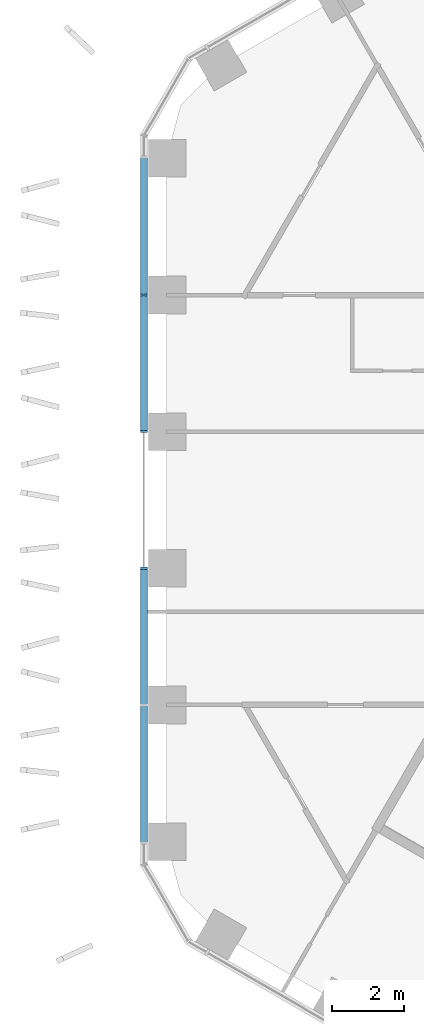
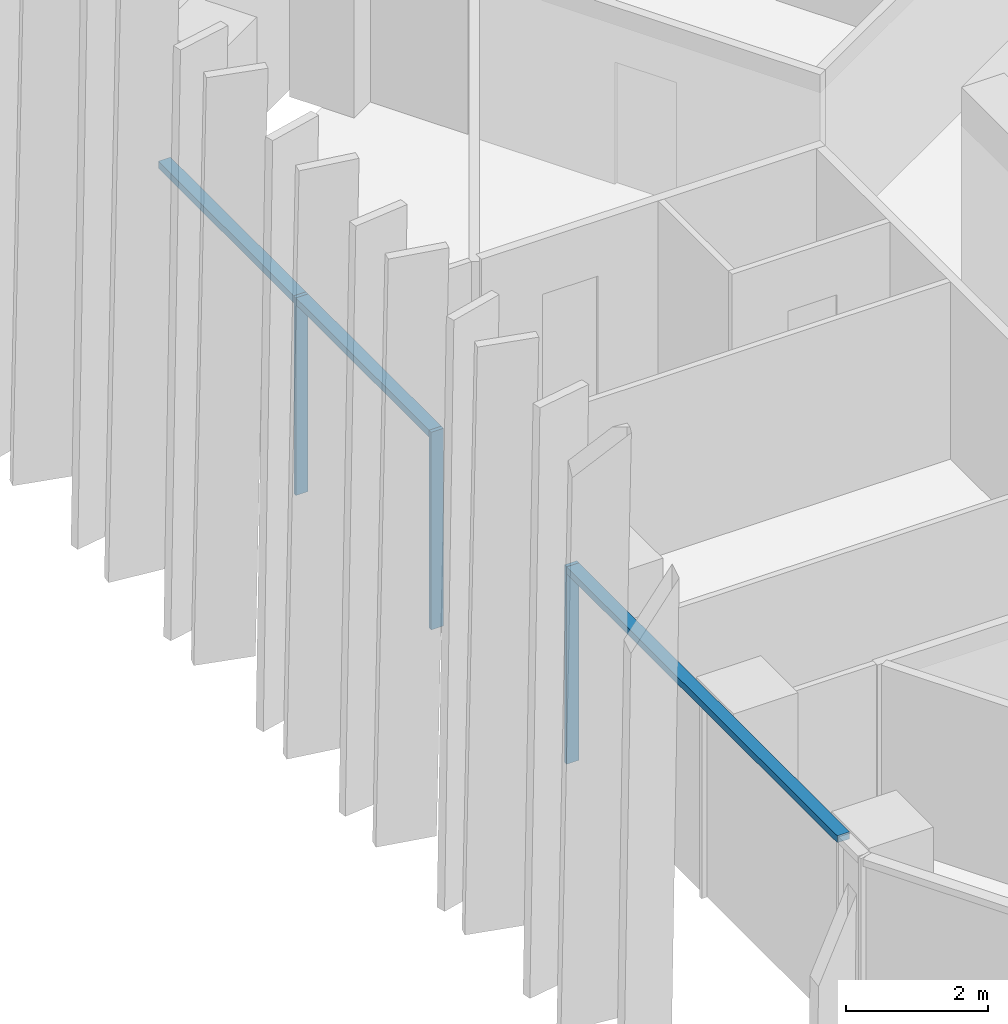
# One storey, part 3 of 18: 5 members, 1 element without a shape of its own.
"""IFC4 building model written with IfcOpenShell, lengths in metres."""

from ifc_helpers import new_model, si_unit, direction, frame, origin, origin_2d, place, context, subcontext, project, spatial, rectangle, extrude, material, layer, layer_set, material_profile, profile_set, type_object, element, aggregate, save


model = new_model("IFC4")

# Units and contexts
model_context = context("Model", 3, precision=1e-05, world=origin(), true_north=direction((0.0, 1.0)))
body_context = subcontext(model_context, "Body", "Model", "MODEL_VIEW")
ifc_project = project(units=[si_unit("LENGTHUNIT", "METRE"), si_unit("AREAUNIT", "SQUARE_METRE"), si_unit("VOLUMEUNIT", "CUBIC_METRE"), si_unit("PLANEANGLEUNIT", "RADIAN"), si_unit("MASSUNIT", "GRAM", prefix="KILO")], contexts=[model_context])

# Site, building, storey
site_placement = place(None, origin())
site = spatial("IfcSite", under=ifc_project, at=site_placement, CompositionType="ELEMENT")
building_placement = place(site_placement, origin())
building = spatial("IfcBuilding", under=site, at=building_placement, Name="Ayvan Gate Tower", CompositionType="ELEMENT")
storey_placement = place(building_placement, frame((0.0, 0.0, 83.10009765625)))
storey = spatial("IfcBuildingStorey", under=building, at=storey_placement, Name="L21", CompositionType="ELEMENT", Elevation=83.10009765625)

# Curtain wall, members
ifc_material = material(Name="Bronze anodised aluminium", Category="aluminium")
ifc_layer = layer(ifc_material, 0.199951171875)
ifc_layer_set = layer_set([ifc_layer], Name="Bronze anodised aluminium")
curtain_wall_type = type_object("IfcCurtainWallType", Name="Stick curtain wall CW-1", PredefinedType="NOTDEFINED", material=ifc_layer_set)
curtain_wall_placement = place(storey_placement, origin())
curtain_wall = element("IfcCurtainWall", 1, at=curtain_wall_placement, inside=storey, type_object=curtain_wall_type, Name="Stick curtain wall CW-1 L21", PredefinedType="NOTDEFINED")
ifc_material_profile_1 = material_profile(ifc_material, rectangle(XDim=0.199951171875, YDim=0.06005859375, at=origin_2d()), Name="Stick curtain wall CW-1 mullion 200 x 60")
ifc_profile_set_1 = profile_set([ifc_material_profile_1], Name="Bronze anodised aluminium")
member_type_1 = type_object("IfcMemberType", Name="Stick curtain wall CW-1 mullion 200 x 60", PredefinedType="MULLION", material=ifc_profile_set_1)
member_1_placement = place(storey_placement, frame((-20.110595703125, 5.72119140625, 0.0), z_axis=(0.0, 0.0, 1.0), x_axis=(-1.0, 0.0, 0.0)))
member_1 = element("IfcMember", 2, at=member_1_placement, type_object=member_type_1, Name="CW-1 mullion 2", PredefinedType="MULLION", context=body_context, shape_type="SweptSolid", body=[
    extrude(rectangle(XDim=0.199951171875, YDim=0.06005859375, at=origin_2d()), origin(), (0.0, 0.0, 1.0), 3.39990234375),
])
member_2_placement = place(storey_placement, frame((-20.110595703125, 1.9072265625, 0.0), z_axis=(0.0, 0.0, 1.0), x_axis=(-1.0, 0.0, 0.0)))
member_2 = element("IfcMember", 3, at=member_2_placement, type_object=member_type_1, Name="CW-1 mullion 3", PredefinedType="MULLION", context=body_context, shape_type="SweptSolid", body=[
    extrude(rectangle(XDim=0.199951171875, YDim=0.06005859375, at=origin_2d()), origin(), (0.0, 0.0, 1.0), 3.39990234375),
])
member_3_placement = place(storey_placement, frame((-20.110595703125, -1.90673828125, 0.0), z_axis=(0.0, 0.0, 1.0), x_axis=(-1.0, 0.0, 0.0)))
member_3 = element("IfcMember", 4, at=member_3_placement, type_object=member_type_1, Name="CW-1 mullion 4", PredefinedType="MULLION", context=body_context, shape_type="SweptSolid", body=[
    extrude(rectangle(XDim=0.199951171875, YDim=0.06005859375, at=origin_2d()), origin(), (0.0, 0.0, 1.0), 3.39990234375),
])
ifc_material_profile_2 = material_profile(ifc_material, rectangle(XDim=0.199951171875, YDim=0.1201171875, at=origin_2d()), Name="Stick curtain wall CW-1 transom 200 x 120")
ifc_profile_set_2 = profile_set([ifc_material_profile_2], Name="Bronze anodised aluminium")
member_type_2 = type_object("IfcMemberType", Name="Stick curtain wall CW-1 transom 200 x 120", PredefinedType="USERDEFINED", material=ifc_profile_set_2)
member_4_placement = place(storey_placement, frame((-20.110595703125, 9.5703125, 3.33984375), z_axis=(0.0, -1.0, 0.0), x_axis=(1.0, 0.0, 0.0)))
member_4 = element("IfcMember", 5, at=member_4_placement, type_object=member_type_2, Name="CW-1 transom 1", ObjectType="TRANSOM", PredefinedType="USERDEFINED", context=body_context, shape_type="SweptSolid", body=[
    extrude(rectangle(XDim=0.199951171875, YDim=0.1201171875, at=origin_2d()), origin(), (0.0, 0.0, 1.0), 7.633056640625),
])
member_5_placement = place(storey_placement, frame((-20.110595703125, -1.936767578125, 3.33984375), z_axis=(0.0, -1.0, 0.0), x_axis=(1.0, 0.0, 0.0)))
member_5 = element("IfcMember", 6, at=member_5_placement, type_object=member_type_2, Name="CW-1 transom 2", ObjectType="TRANSOM", PredefinedType="USERDEFINED", context=body_context, shape_type="SweptSolid", body=[
    extrude(rectangle(XDim=0.199951171875, YDim=0.1201171875, at=origin_2d()), origin(), (0.0, 0.0, 1.0), 7.633544921875),
])
aggregate(curtain_wall, [member_1, member_2, member_3, member_4, member_5])

save(model, "model.ifc")
